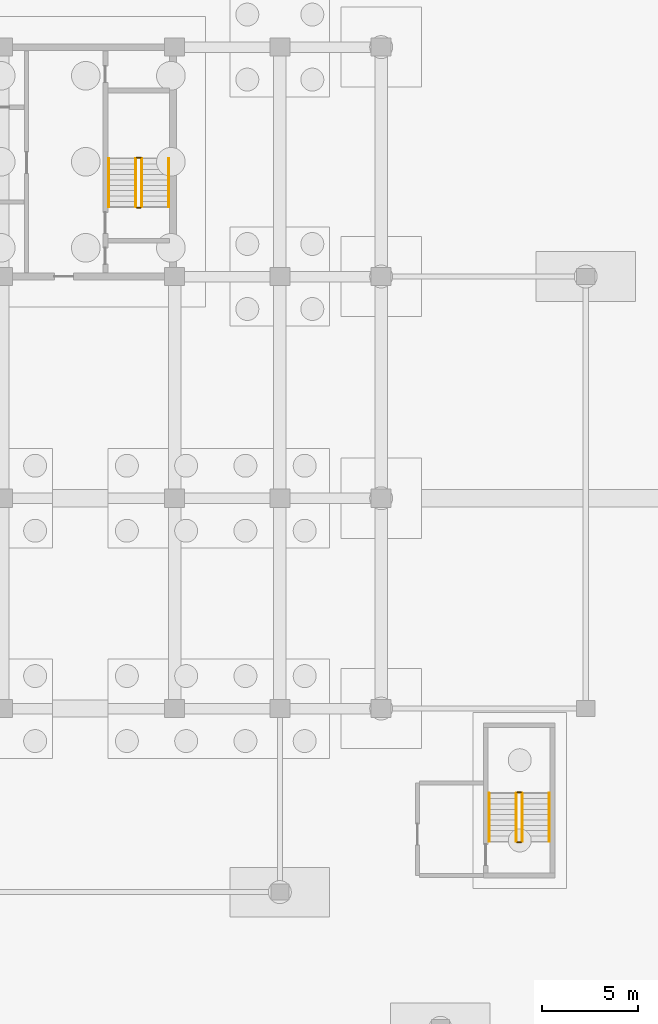
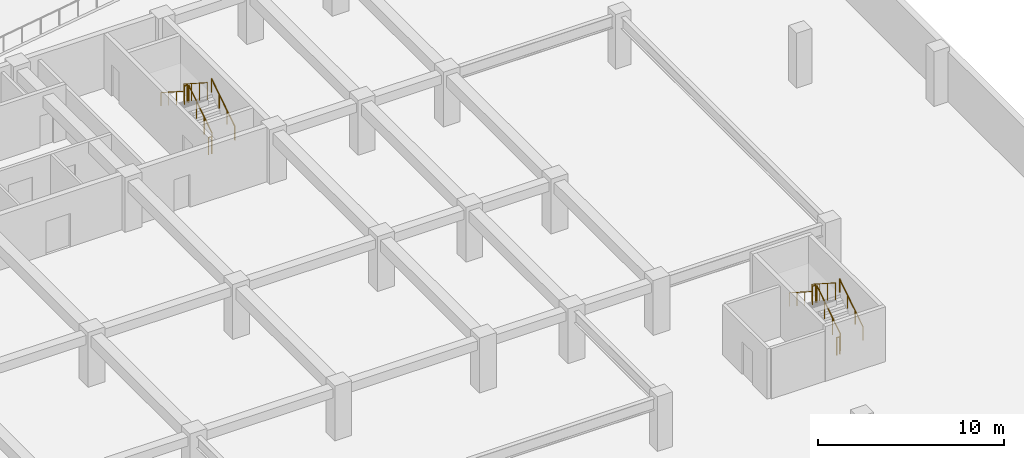
# One storey, part 21 of 26: 12 railings.
"""IFC4 building model written with IfcOpenShell, lengths in metres."""

import ifcopenshell
import ifcopenshell.guid

model = None  # the IFC model being written
_history = None  # IfcOwnerHistory: only IFC2X3 demands one
_inside = {}  # id of a spatial element -> (the spatial element, [elements in it])
_under = {}  # id of a project, library or spatial element -> (it, [spatial elements below it])
_declared = {}  # id of a project -> (the project, [libraries it declares])
_typed = {}  # id of a type object -> (the type object, [elements of that type])
_made_of = {}  # id of a material, layer set ... -> (it, [elements and type objects made of it])


def new_model(schema):
    """Start an empty IFC model of exactly this schema.

    Asked for "IFC4X3", IfcOpenShell would pick the latest addendum, in which some entities
    have other attributes; the version numbers below select the first issue.
    IFC2X3 requires an IfcOwnerHistory on every rooted entity: one is made here for all.
    """
    global model, _history
    if schema == "IFC4X3":
        model = ifcopenshell.file(schema_version=(4, 3, 0, 0))
    else:
        model = ifcopenshell.file(schema=schema)
    _inside.clear()
    _under.clear()
    _declared.clear()
    _typed.clear()
    _made_of.clear()
    _history = None
    if model.schema == "IFC2X3":
        org = make("IfcOrganization", Name="unknown")
        user = make(
            "IfcPersonAndOrganization",
            ThePerson=make("IfcPerson", FamilyName="unknown"),
            TheOrganization=org,
        )
        app = make(
            "IfcApplication",
            ApplicationDeveloper=org,
            Version="unknown",
            ApplicationFullName="unknown",
            ApplicationIdentifier="unknown",
        )
        _history = make(
            "IfcOwnerHistory",
            OwningUser=user,
            OwningApplication=app,
            ChangeAction="ADDED",
            CreationDate=0,
        )
    return model


def make(cls, **values):
    """One entity of the class cls with the attributes given. An attribute that is None is left unset."""
    return model.create_entity(
        cls, **{name: value for name, value in values.items() if value is not None}
    )


def rooted(cls, **values):
    """An entity with a GlobalId (a new one), such as an element, a storey or a relation."""
    return make(cls, GlobalId=ifcopenshell.guid.new(), OwnerHistory=_history, **values)


def si_unit(unit_type, name, prefix=None):
    """IfcSIUnit, for example si_unit("LENGTHUNIT", "METRE", prefix="MILLI")."""
    return make("IfcSIUnit", UnitType=unit_type, Prefix=prefix, Name=name)


def assignment(units):
    """IfcUnitAssignment: the units of a project."""
    return None if units is None else make("IfcUnitAssignment", Units=units)


def point(xyz):
    """IfcCartesianPoint."""
    return None if xyz is None else make("IfcCartesianPoint", Coordinates=xyz)


def direction(xyz):
    """IfcDirection."""
    return None if xyz is None else make("IfcDirection", DirectionRatios=xyz)


def frame(location, z_axis=None, x_axis=None):
    """IfcAxis2Placement3D, a coordinate frame: its origin and axes. An axis left out is left unset."""
    return make(
        "IfcAxis2Placement3D",
        Location=point(location),
        Axis=direction(z_axis),
        RefDirection=direction(x_axis),
    )


def frame_2d(location, x_axis=None):
    """IfcAxis2Placement2D, a coordinate frame in the plane: its origin and x axis."""
    return make(
        "IfcAxis2Placement2D", Location=point(location), RefDirection=direction(x_axis)
    )


def origin():
    """The frame at (0, 0, 0) with its axes left unset."""
    return frame((0.0, 0.0, 0.0))


def origin_2d():
    """The frame at (0, 0) in the plane with its x axis left unset."""
    return frame_2d((0.0, 0.0))


def place(relative_to, where):
    """IfcLocalPlacement: puts the frame where relative to a parent placement (None: the world)."""
    return make(
        "IfcLocalPlacement", PlacementRelTo=relative_to, RelativePlacement=where
    )


def context(
    kind, dimensions, precision=None, world=None, true_north=None, identifier=None
):
    """IfcGeometricRepresentationContext, for example the 3D "Model" context."""
    return make(
        "IfcGeometricRepresentationContext",
        ContextIdentifier=identifier,
        ContextType=kind,
        CoordinateSpaceDimension=dimensions,
        Precision=precision,
        WorldCoordinateSystem=world,
        TrueNorth=true_north,
    )


def subcontext(parent, identifier, kind, view, scale=None):
    """IfcGeometricRepresentationSubContext, for example "Body" below "Model"."""
    return make(
        "IfcGeometricRepresentationSubContext",
        ContextIdentifier=identifier,
        ContextType=kind,
        ParentContext=parent,
        TargetScale=scale,
        TargetView=view,
    )


def project(units=None, contexts=None):
    """IfcProject with its units and contexts."""
    return rooted(
        "IfcProject",
        Name="project",
        RepresentationContexts=contexts,
        UnitsInContext=assignment(units),
    )


def spatial(cls, under=None, at=None, **own):
    """A site, building, storey or space (cls), placed at a placement, below another one or the project."""
    s = rooted(cls, ObjectPlacement=at, **own)
    if under is not None:
        _under.setdefault(under.id(), (under, []))[1].append(s)
    return s


def profile(cls, at=None, kind="AREA", **sizes):
    """A parametric profile (cls). Its sizes go by their IFC names, for example OverallWidth=200.0."""
    return make(cls, ProfileType=kind, Position=at, **sizes)


def circle(**sizes):
    """IfcCircleProfileDef."""
    return profile("IfcCircleProfileDef", **sizes)


def extrude(swept, where, along, depth):
    """IfcExtrudedAreaSolid: the profile swept, set in the frame where, extruded along a direction by depth."""
    return make(
        "IfcExtrudedAreaSolid",
        SweptArea=swept,
        Position=where,
        ExtrudedDirection=direction(along),
        Depth=depth,
    )


def shape(context_of_items, identifier, shape_type, items):
    """IfcShapeRepresentation: the items that make up one representation, for example the "Body"."""
    return make(
        "IfcShapeRepresentation",
        ContextOfItems=context_of_items,
        RepresentationIdentifier=identifier,
        RepresentationType=shape_type,
        Items=items,
    )


def material(Name=None, Category=None):
    """IfcMaterial."""
    return make("IfcMaterial", Name=Name, Category=Category)


def made_of(thing, what):
    """Note that an element or type object is made of a material, layer set ...; save() writes the relation."""
    if what is not None:
        _made_of.setdefault(what.id(), (what, []))[1].append(thing)
    return thing


def type_object(cls, material=None, **own):
    """A type object (cls), such as IfcWallType, which elements share."""
    return made_of(rooted(cls, **own), material)


def element(
    cls,
    number,
    at=None,
    inside=None,
    cuts=None,
    type_object=None,
    material=None,
    context=None,
    identifier="Body",
    shape_type=None,
    held_by="IfcProductDefinitionShape",
    body=None,
    shapes=None,
    **own,
):
    """One element of the class cls, such as IfcWall. Its Tag is "e" and its number.

    at: its placement. inside: the storey or other place that contains it. cuts: it is an
    opening in that element (IfcRelVoidsElement). A single representation is given by context,
    identifier, shape_type and body (its items); several are given by shapes. held_by: the class
    of the entity that holds the representations. save() writes the other relations.
    """
    e = rooted(cls, Tag="e%d" % number, ObjectPlacement=at, **own)
    if body is not None:
        shapes = [shape(context, identifier, shape_type, body)]
    if shapes is not None:
        e.Representation = make(held_by, Representations=shapes)
    if inside is not None:
        _inside.setdefault(inside.id(), (inside, []))[1].append(e)
    if cuts is not None:
        rooted(
            "IfcRelVoidsElement", RelatingBuildingElement=cuts, RelatedOpeningElement=e
        )
    if type_object is not None:
        _typed.setdefault(type_object.id(), (type_object, []))[1].append(e)
    return made_of(e, material)


def aggregate(whole, parts):
    """IfcRelAggregates: a whole, such as a stair, and the parts it consists of."""
    return rooted("IfcRelAggregates", RelatingObject=whole, RelatedObjects=parts)


def save(model, path):
    """Write the relations noted so far, then the file.

    IfcRelAggregates (storeys below a building ...), IfcRelContainedInSpatialStructure (elements
    in a storey), IfcRelDefinesByType, IfcRelAssociatesMaterial and IfcRelDeclares: one each for
    every whole, place, type object, material and project.
    """
    for whole, parts in _under.values():
        aggregate(whole, parts)
    for where, things in _inside.values():
        rooted(
            "IfcRelContainedInSpatialStructure",
            RelatedElements=things,
            RelatingStructure=where,
        )
    for kind, things in _typed.values():
        rooted("IfcRelDefinesByType", RelatedObjects=things, RelatingType=kind)
    for what, things in _made_of.values():
        rooted("IfcRelAssociatesMaterial", RelatedObjects=things, RelatingMaterial=what)
    for by, libraries in _declared.values():
        rooted("IfcRelDeclares", RelatingContext=by, RelatedDefinitions=libraries)
    model.write(path)


model = new_model("IFC4")

# Units and contexts
model_context = context("Model", 3, precision=1e-05, world=origin(), true_north=direction((0.0, 1.0)))
body_context = subcontext(model_context, "Body", "Model", "MODEL_VIEW")
ifc_project = project(units=[si_unit("LENGTHUNIT", "METRE"), si_unit("AREAUNIT", "SQUARE_METRE"), si_unit("VOLUMEUNIT", "CUBIC_METRE"), si_unit("PLANEANGLEUNIT", "RADIAN"), si_unit("MASSUNIT", "GRAM", prefix="KILO")], contexts=[model_context])

# Site, building, storey
site_placement = place(None, origin())
site = spatial("IfcSite", under=ifc_project, at=site_placement, CompositionType="ELEMENT")
building_placement = place(site_placement, origin())
building = spatial("IfcBuilding", under=site, at=building_placement, Name="Korimba Cascade Residences", CompositionType="ELEMENT")
storey_placement = place(building_placement, frame((0.0, 0.0, -10.800048828125)))
storey = spatial("IfcBuildingStorey", under=building, at=storey_placement, Name="B03", CompositionType="ELEMENT", Elevation=-10.800048828125)

# Railings
ifc_material_1 = material(Name="Painted Steel Stairwell Guardrail", Category="steel")
railing_type_1 = type_object("IfcRailingType", Name="RLG-ST-GD1150", PredefinedType="GUARDRAIL", material=ifc_material_1)
railing_1_placement = place(storey_placement, frame((116.3701171875, 22.050048828125, 0.179931640625)))
element("IfcRailing", 1, at=railing_1_placement, inside=storey, type_object=railing_type_1, Name="B03 ST-E2 stair guard 1", PredefinedType="GUARDRAIL", context=body_context, shape_type="SweptSolid", body=[
    extrude(circle(Radius=0.02392578125, at=origin_2d()), frame((0.0, 0.0, 1.1259765625), z_axis=(0.0, 0.841162588446, 0.540782303519), x_axis=(-1.0, 0.0, 0.0)), (0.0, 0.0, 1.0), 2.995849609375),
    extrude(circle(Radius=0.02099609375, at=origin_2d()), origin(), (0.0, 0.0, 1.0), 1.101806640625),
    extrude(circle(Radius=0.02099609375, at=origin_2d()), frame((0.0, 0.840087890625, 0.5400390625)), (0.0, 0.0, 1.0), 1.101806640625),
    extrude(circle(Radius=0.02099609375, at=origin_2d()), frame((0.0, 1.679931640625, 1.080078125)), (0.0, 0.0, 1.0), 1.101806640625),
    extrude(circle(Radius=0.02099609375, at=origin_2d()), frame((0.0, 2.52001953125, 1.6201171875)), (0.0, 0.0, 1.0), 1.101806640625),
])
railing_2_placement = place(storey_placement, frame((116.320068359375, 24.6201171875, 1.800048828125)))
element("IfcRailing", 2, at=railing_2_placement, inside=storey, type_object=railing_type_1, Name="B03 ST-E2 stair guard 2", PredefinedType="GUARDRAIL", context=body_context, shape_type="SweptSolid", body=[
    extrude(circle(Radius=0.02392578125, at=origin_2d()), frame((0.0, 0.0, 1.1259765625), z_axis=(-1.0, 0.0, 0.0), x_axis=(0.0, -1.0, 0.0)), (0.0, 0.0, 1.0), 0.199951171875),
    extrude(circle(Radius=0.02099609375, at=origin_2d()), origin(), (0.0, 0.0, 1.0), 1.101806640625),
    extrude(circle(Radius=0.02099609375, at=origin_2d()), frame((-0.199951171875, 0.0, 0.0)), (0.0, 0.0, 1.0), 1.101806640625),
])
railing_3_placement = place(storey_placement, frame((116.070068359375, 24.570068359375, 1.97998046875)))
element("IfcRailing", 3, at=railing_3_placement, inside=storey, type_object=railing_type_1, Name="B03 ST-E2 stair guard 3", PredefinedType="GUARDRAIL", context=body_context, shape_type="SweptSolid", body=[
    extrude(circle(Radius=0.02392578125, at=origin_2d()), frame((0.0, 0.0, 1.1259765625), z_axis=(0.0, -0.841162588446, 0.540782303519), x_axis=(1.0, 0.0, 0.0)), (0.0, 0.0, 1.0), 2.995849609375),
    extrude(circle(Radius=0.02099609375, at=origin_2d()), origin(), (0.0, 0.0, 1.0), 1.101806640625),
    extrude(circle(Radius=0.02099609375, at=origin_2d()), frame((0.0, -0.840087890625, 0.5400390625)), (0.0, 0.0, 1.0), 1.101806640625),
    extrude(circle(Radius=0.02099609375, at=origin_2d()), frame((0.0, -1.679931640625, 1.080078125)), (0.0, 0.0, 1.0), 1.101806640625),
    extrude(circle(Radius=0.02099609375, at=origin_2d()), frame((0.0, -2.52001953125, 1.6201171875)), (0.0, 0.0, 1.0), 1.101806640625),
])
railing_4_placement = place(storey_placement, frame((116.320068359375, 22.0, 0.0)))
element("IfcRailing", 4, at=railing_4_placement, inside=storey, type_object=railing_type_1, Name="B03 ST-E2 stair guard 4", PredefinedType="GUARDRAIL", context=body_context, shape_type="SweptSolid", body=[
    extrude(circle(Radius=0.02392578125, at=origin_2d()), frame((0.0, 0.0, 1.1259765625), z_axis=(-1.0, 0.0, 0.0), x_axis=(0.0, -1.0, 0.0)), (0.0, 0.0, 1.0), 0.199951171875),
    extrude(circle(Radius=0.02099609375, at=origin_2d()), origin(), (0.0, 0.0, 1.0), 1.101806640625),
    extrude(circle(Radius=0.02099609375, at=origin_2d()), frame((-0.199951171875, 0.0, 0.0)), (0.0, 0.0, 1.0), 1.101806640625),
])
railing_5_placement = place(storey_placement, frame((136.27001953125, -11.14990234375, 0.179931640625)))
element("IfcRailing", 5, at=railing_5_placement, inside=storey, type_object=railing_type_1, Name="B03 ST-P6 stair guard 1", PredefinedType="GUARDRAIL", context=body_context, shape_type="SweptSolid", body=[
    extrude(circle(Radius=0.02392578125, at=origin_2d()), frame((0.0, 0.0, 1.1259765625), z_axis=(0.0, 0.841162588446, 0.540782303519), x_axis=(-1.0, 0.0, 0.0)), (0.0, 0.0, 1.0), 2.995849609375),
    extrude(circle(Radius=0.02099609375, at=origin_2d()), origin(), (0.0, 0.0, 1.0), 1.101806640625),
    extrude(circle(Radius=0.02099609375, at=origin_2d()), frame((0.0, 0.840087890625, 0.5400390625)), (0.0, 0.0, 1.0), 1.101806640625),
    extrude(circle(Radius=0.02099609375, at=origin_2d()), frame((0.0, 1.679931640625, 1.080078125)), (0.0, 0.0, 1.0), 1.101806640625),
    extrude(circle(Radius=0.02099609375, at=origin_2d()), frame((0.0, 2.52001953125, 1.6201171875)), (0.0, 0.0, 1.0), 1.101806640625),
])
railing_6_placement = place(storey_placement, frame((136.219970703125, -8.580078125, 1.800048828125)))
element("IfcRailing", 6, at=railing_6_placement, inside=storey, type_object=railing_type_1, Name="B03 ST-P6 stair guard 2", PredefinedType="GUARDRAIL", context=body_context, shape_type="SweptSolid", body=[
    extrude(circle(Radius=0.02392578125, at=origin_2d()), frame((0.0, 0.0, 1.1259765625), z_axis=(-1.0, 0.0, 0.0), x_axis=(0.0, -1.0, 0.0)), (0.0, 0.0, 1.0), 0.199951171875),
    extrude(circle(Radius=0.02099609375, at=origin_2d()), origin(), (0.0, 0.0, 1.0), 1.101806640625),
    extrude(circle(Radius=0.02099609375, at=origin_2d()), frame((-0.199951171875, 0.0, 0.0)), (0.0, 0.0, 1.0), 1.101806640625),
])
railing_7_placement = place(storey_placement, frame((135.969970703125, -8.6298828125, 1.97998046875)))
element("IfcRailing", 7, at=railing_7_placement, inside=storey, type_object=railing_type_1, Name="B03 ST-P6 stair guard 3", PredefinedType="GUARDRAIL", context=body_context, shape_type="SweptSolid", body=[
    extrude(circle(Radius=0.02392578125, at=origin_2d()), frame((0.0, 0.0, 1.1259765625), z_axis=(0.0, -0.841162588446, 0.540782303519), x_axis=(1.0, 0.0, 0.0)), (0.0, 0.0, 1.0), 2.995849609375),
    extrude(circle(Radius=0.02099609375, at=origin_2d()), origin(), (0.0, 0.0, 1.0), 1.101806640625),
    extrude(circle(Radius=0.02099609375, at=origin_2d()), frame((0.0, -0.840087890625, 0.5400390625)), (0.0, 0.0, 1.0), 1.101806640625),
    extrude(circle(Radius=0.02099609375, at=origin_2d()), frame((0.0, -1.679931640625, 1.080078125)), (0.0, 0.0, 1.0), 1.101806640625),
    extrude(circle(Radius=0.02099609375, at=origin_2d()), frame((0.0, -2.52001953125, 1.6201171875)), (0.0, 0.0, 1.0), 1.101806640625),
])
railing_8_placement = place(storey_placement, frame((136.219970703125, -11.199951171875, 0.0)))
element("IfcRailing", 8, at=railing_8_placement, inside=storey, type_object=railing_type_1, Name="B03 ST-P6 stair guard 4", PredefinedType="GUARDRAIL", context=body_context, shape_type="SweptSolid", body=[
    extrude(circle(Radius=0.02392578125, at=origin_2d()), frame((0.0, 0.0, 1.1259765625), z_axis=(-1.0, 0.0, 0.0), x_axis=(0.0, -1.0, 0.0)), (0.0, 0.0, 1.0), 0.199951171875),
    extrude(circle(Radius=0.02099609375, at=origin_2d()), origin(), (0.0, 0.0, 1.0), 1.101806640625),
    extrude(circle(Radius=0.02099609375, at=origin_2d()), frame((-0.199951171875, 0.0, 0.0)), (0.0, 0.0, 1.0), 1.101806640625),
])
ifc_material_2 = material(Name="Brushed Stainless Steel Handrail", Category="steel")
railing_type_2 = type_object("IfcRailingType", Name="RLG-ST-HR900", PredefinedType="HANDRAIL", material=ifc_material_2)
railing_9_placement = place(storey_placement, frame((117.7900390625, 22.050048828125, 0.36376953125)))
element("IfcRailing", 9, at=railing_9_placement, inside=storey, type_object=railing_type_2, Name="B03 ST-E2 stair handrail 1", PredefinedType="HANDRAIL", context=body_context, shape_type="SweptSolid", body=[
    extrude(circle(Radius=0.02392578125, at=origin_2d()), frame((0.0, 0.0, 0.8759765625), z_axis=(0.0, 0.841162588446, 0.540782303519), x_axis=(-1.0, 0.0, 0.0)), (0.0, 0.0, 1.0), 2.995849609375),
    extrude(circle(Radius=0.02099609375, at=origin_2d()), origin(), (0.0, 0.0, 1.0), 0.851806640625),
    extrude(circle(Radius=0.02099609375, at=origin_2d()), frame((0.0, 0.840087890625, 0.5400390625)), (0.0, 0.0, 1.0), 0.851806640625),
    extrude(circle(Radius=0.02099609375, at=origin_2d()), frame((0.0, 1.679931640625, 1.080078125)), (0.0, 0.0, 1.0), 0.851806640625),
    extrude(circle(Radius=0.02099609375, at=origin_2d()), frame((0.0, 2.52001953125, 1.6201171875)), (0.0, 0.0, 1.0), 0.851806640625),
])
railing_10_placement = place(storey_placement, frame((114.64990234375, 24.570068359375, 2.163818359375)))
element("IfcRailing", 10, at=railing_10_placement, inside=storey, type_object=railing_type_2, Name="B03 ST-E2 stair handrail 2", PredefinedType="HANDRAIL", context=body_context, shape_type="SweptSolid", body=[
    extrude(circle(Radius=0.02392578125, at=origin_2d()), frame((0.0, 0.0, 0.8759765625), z_axis=(0.0, -0.841162588446, 0.540782303519), x_axis=(1.0, 0.0, 0.0)), (0.0, 0.0, 1.0), 2.995849609375),
    extrude(circle(Radius=0.02099609375, at=origin_2d()), origin(), (0.0, 0.0, 1.0), 0.851806640625),
    extrude(circle(Radius=0.02099609375, at=origin_2d()), frame((0.0, -0.840087890625, 0.5400390625)), (0.0, 0.0, 1.0), 0.851806640625),
    extrude(circle(Radius=0.02099609375, at=origin_2d()), frame((0.0, -1.679931640625, 1.080078125)), (0.0, 0.0, 1.0), 0.851806640625),
    extrude(circle(Radius=0.02099609375, at=origin_2d()), frame((0.0, -2.52001953125, 1.6201171875)), (0.0, 0.0, 1.0), 0.851806640625),
])
railing_11_placement = place(storey_placement, frame((137.68994140625, -11.14990234375, 0.36376953125)))
element("IfcRailing", 11, at=railing_11_placement, inside=storey, type_object=railing_type_2, Name="B03 ST-P6 stair handrail 1", PredefinedType="HANDRAIL", context=body_context, shape_type="SweptSolid", body=[
    extrude(circle(Radius=0.02392578125, at=origin_2d()), frame((0.0, 0.0, 0.8759765625), z_axis=(0.0, 0.841162588446, 0.540782303519), x_axis=(-1.0, 0.0, 0.0)), (0.0, 0.0, 1.0), 2.995849609375),
    extrude(circle(Radius=0.02099609375, at=origin_2d()), origin(), (0.0, 0.0, 1.0), 0.851806640625),
    extrude(circle(Radius=0.02099609375, at=origin_2d()), frame((0.0, 0.840087890625, 0.5400390625)), (0.0, 0.0, 1.0), 0.851806640625),
    extrude(circle(Radius=0.02099609375, at=origin_2d()), frame((0.0, 1.679931640625, 1.080078125)), (0.0, 0.0, 1.0), 0.851806640625),
    extrude(circle(Radius=0.02099609375, at=origin_2d()), frame((0.0, 2.52001953125, 1.6201171875)), (0.0, 0.0, 1.0), 0.851806640625),
])
railing_12_placement = place(storey_placement, frame((134.550048828125, -8.6298828125, 2.163818359375)))
element("IfcRailing", 12, at=railing_12_placement, inside=storey, type_object=railing_type_2, Name="B03 ST-P6 stair handrail 2", PredefinedType="HANDRAIL", context=body_context, shape_type="SweptSolid", body=[
    extrude(circle(Radius=0.02392578125, at=origin_2d()), frame((0.0, 0.0, 0.8759765625), z_axis=(0.0, -0.841162588446, 0.540782303519), x_axis=(1.0, 0.0, 0.0)), (0.0, 0.0, 1.0), 2.995849609375),
    extrude(circle(Radius=0.02099609375, at=origin_2d()), origin(), (0.0, 0.0, 1.0), 0.851806640625),
    extrude(circle(Radius=0.02099609375, at=origin_2d()), frame((0.0, -0.840087890625, 0.5400390625)), (0.0, 0.0, 1.0), 0.851806640625),
    extrude(circle(Radius=0.02099609375, at=origin_2d()), frame((0.0, -1.679931640625, 1.080078125)), (0.0, 0.0, 1.0), 0.851806640625),
    extrude(circle(Radius=0.02099609375, at=origin_2d()), frame((0.0, -2.52001953125, 1.6201171875)), (0.0, 0.0, 1.0), 0.851806640625),
])

save(model, "model.ifc")
